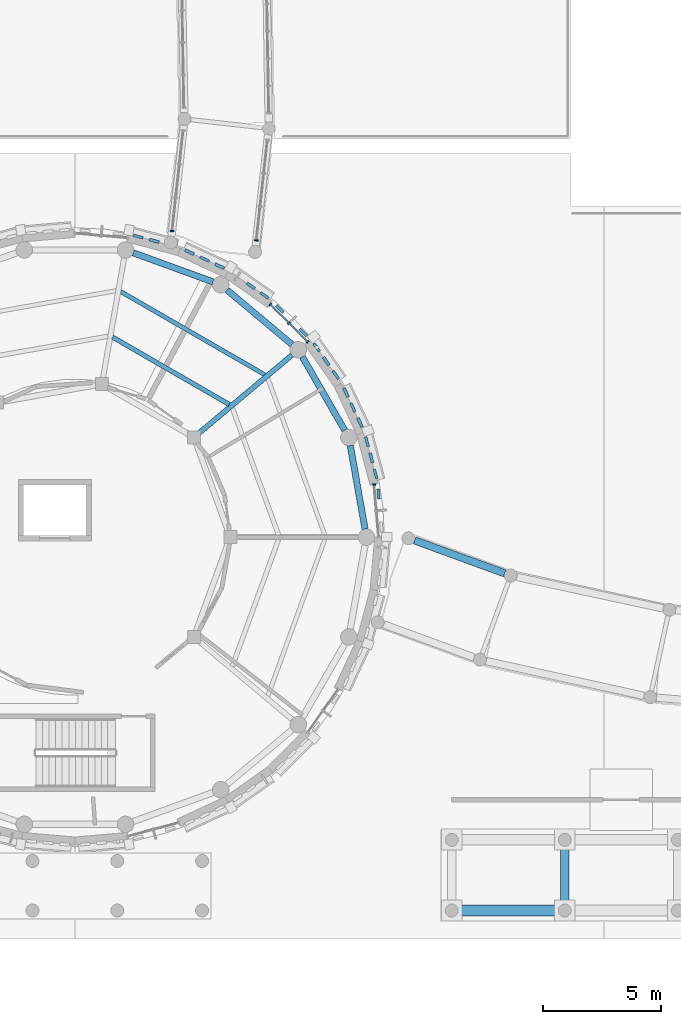
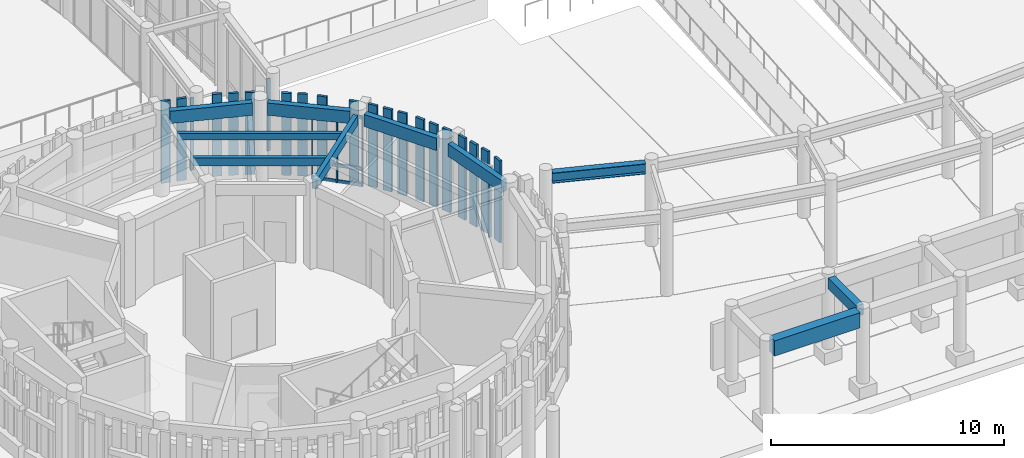
# One storey, part 8 of 94: 28 members, 10 beams, 4 elements without a shape of their own.
"""IFC4 building model written with IfcOpenShell, lengths in metres."""

from ifc_helpers import new_model, si_unit, direction, frame, origin, origin_2d, place, context, subcontext, project, spatial, rectangle, i_section, extrude, material, layer, layer_set, material_profile, profile_set, type_object, element, aggregate, save


model = new_model("IFC4")

# Units and contexts
model_context = context("Model", 3, precision=1e-05, world=origin(), true_north=direction((0.0, 1.0)))
body_context = subcontext(model_context, "Body", "Model", "MODEL_VIEW")
ifc_project = project(units=[si_unit("LENGTHUNIT", "METRE"), si_unit("AREAUNIT", "SQUARE_METRE"), si_unit("VOLUMEUNIT", "CUBIC_METRE"), si_unit("PLANEANGLEUNIT", "RADIAN"), si_unit("MASSUNIT", "GRAM", prefix="KILO")], contexts=[model_context])

# Site, building, storey
site_placement = place(None, origin())
site = spatial("IfcSite", under=ifc_project, at=site_placement, CompositionType="ELEMENT")
building_placement = place(site_placement, origin())
building = spatial("IfcBuilding", under=site, at=building_placement, Name="Aldenvaro Health Centre", CompositionType="ELEMENT")
storey_placement = place(building_placement, origin())
storey = spatial("IfcBuildingStorey", under=building, at=storey_placement, Name="L00", CompositionType="ELEMENT", Elevation=0.0)

# Beams
ifc_material_1 = material(Name="Glulam GL28h", Category="wood")
ifc_material_profile_1 = material_profile(ifc_material_1, rectangle(XDim=0.175048828125, YDim=0.35009765625, at=origin_2d()), Name="GL 175x350", Category="wood")
ifc_profile_set_1 = profile_set([ifc_material_profile_1], Name="Glulam GL28h")
beam_type_1 = type_object("IfcBeamType", Name="BM-GL-350", PredefinedType="JOIST", material=ifc_profile_set_1)
beam_1_placement = place(storey_placement, frame((26.56298828125, 25.39697265625, 4.1298828125), z_axis=(-0.866030278967, 0.499991555841, 0.0), x_axis=(-0.499991555841, -0.866030278967, 0.0)))
element("IfcBeam", 1, at=beam_1_placement, inside=storey, type_object=beam_type_1, Name="D5 L00 secondary joist 02.2", PredefinedType="JOIST", context=body_context, shape_type="SweptSolid", body=[
    extrude(rectangle(XDim=0.175048828125, YDim=0.35009765625, at=origin_2d()), origin(), (0.0, 0.0, 1.0), 7.06787109375),
])
ifc_material_profile_2 = material_profile(ifc_material_1, rectangle(XDim=0.18994140625, YDim=0.41796875, at=origin_2d()), Name="GL 190x418", Category="wood")
ifc_profile_set_2 = profile_set([ifc_material_profile_2], Name="Glulam GL28h")
beam_type_2 = type_object("IfcBeamType", Name="BM-GL-418", PredefinedType="JOIST", material=ifc_profile_set_2)
beam_2_placement = place(storey_placement, frame((25.056884765625, 24.134033203125, 4.095947265625), z_axis=(-0.866037099742, 0.499979741459, 0.0), x_axis=(-0.499979741459, -0.866037099742, 0.0)))
element("IfcBeam", 2, at=beam_2_placement, inside=storey, type_object=beam_type_2, Name="D5 L00 secondary joist 02.1", PredefinedType="JOIST", context=body_context, shape_type="SweptSolid", body=[
    extrude(rectangle(XDim=0.18994140625, YDim=0.41796875, at=origin_2d()), origin(), (0.0, 0.0, 1.0), 5.722412109375),
])
ifc_material_profile_3 = material_profile(ifc_material_1, rectangle(XDim=0.215087890625, YDim=0.493896484375, at=origin_2d()), Name="GL 215x494", Category="wood")
ifc_profile_set_3 = profile_set([ifc_material_profile_3], Name="Glulam GL28h")
beam_type_3 = type_object("IfcBeamType", Name="BM-GL-494", PredefinedType="BEAM", material=ifc_profile_set_3)
beam_3_placement = place(storey_placement, frame((23.76708984375, 22.9189453125, 4.05810546875), z_axis=(0.766007983384, 0.642831058204, 0.0), x_axis=(-0.642831058204, 0.766007983384, 0.0)))
element("IfcBeam", 3, at=beam_3_placement, inside=storey, type_object=beam_type_3, Name="D5 L00 radial beam 02", PredefinedType="BEAM", context=body_context, shape_type="SweptSolid", body=[
    extrude(rectangle(XDim=0.215087890625, YDim=0.493896484375, at=origin_2d()), origin(), (0.0, 0.0, 1.0), 5.1552734375),
])
ifc_material_profile_4 = material_profile(ifc_material_1, rectangle(XDim=0.264892578125, YDim=0.64599609375, at=origin_2d()), Name="GL 265x646", Category="wood")
ifc_profile_set_4 = profile_set([ifc_material_profile_4], Name="Glulam GL28h")
beam_type_4 = type_object("IfcBeamType", Name="BM-GL-646", PredefinedType="SPANDREL", material=ifc_profile_set_4)
beam_4_placement = place(storey_placement, frame((30.819091796875, 18.844970703125, 3.98193359375), z_axis=(-0.17367696688, 0.984802676263, 0.0), x_axis=(-0.984802676263, -0.17367696688, 0.0)))
element("IfcBeam", 4, at=beam_4_placement, inside=storey, type_object=beam_type_4, Name="D5 L00 perimeter spandrel 01", PredefinedType="SPANDREL", context=body_context, shape_type="SweptSolid", body=[
    extrude(rectangle(XDim=0.264892578125, YDim=0.64599609375, at=origin_2d()), origin(), (0.0, 0.0, 1.0), 3.5986328125),
])
beam_5_placement = place(storey_placement, frame((29.9580078125, 23.037109375, 3.98193359375), z_axis=(-0.499779208992, 0.866152840011, 0.0), x_axis=(-0.866152840011, -0.499779208992, 0.0)))
element("IfcBeam", 5, at=beam_5_placement, inside=storey, type_object=beam_type_4, Name="D5 L00 perimeter spandrel 02", PredefinedType="SPANDREL", context=body_context, shape_type="SweptSolid", body=[
    extrude(rectangle(XDim=0.264892578125, YDim=0.64599609375, at=origin_2d()), origin(), (0.0, 0.0, 1.0), 3.599853515625),
])
beam_6_placement = place(storey_placement, frame((27.716064453125, 26.68310546875, 3.98193359375), z_axis=(-0.766221705246, 0.642576297734, 0.0), x_axis=(-0.642576297734, -0.766221705246, 0.0)))
element("IfcBeam", 6, at=beam_6_placement, inside=storey, type_object=beam_type_4, Name="D5 L00 perimeter spandrel 03", PredefinedType="SPANDREL", context=body_context, shape_type="SweptSolid", body=[
    extrude(rectangle(XDim=0.264892578125, YDim=0.64599609375, at=origin_2d()), origin(), (0.0, 0.0, 1.0), 3.599609375),
])
beam_7_placement = place(storey_placement, frame((24.361083984375, 29.341064453125, 3.98193359375), z_axis=(-0.939694357354, 0.342015372106, 0.0), x_axis=(-0.342015372106, -0.939694357354, 0.0)))
element("IfcBeam", 7, at=beam_7_placement, inside=storey, type_object=beam_type_4, Name="D5 L00 perimeter spandrel 04", PredefinedType="SPANDREL", context=body_context, shape_type="SweptSolid", body=[
    extrude(rectangle(XDim=0.264892578125, YDim=0.64599609375, at=origin_2d()), origin(), (0.0, 0.0, 1.0), 3.59912109375),
])
ifc_material_2 = material(Name="Concrete f'c 40 MPa", Category="concrete")
ifc_material_profile_5 = material_profile(ifc_material_2, rectangle(XDim=0.35009765625, YDim=0.56005859375, at=origin_2d()), Name="RC 350x560", Category="concrete")
ifc_profile_set_5 = profile_set([ifc_material_profile_5], Name="Concrete f'c 40 MPa")
beam_type_5 = type_object("IfcBeamType", Name="BM-RC-560E", PredefinedType="JOIST", material=ifc_profile_set_5)
beam_8_placement = place(storey_placement, frame((39.300048828125, 2.925048828125, 4.1201171875), z_axis=(0.0, 1.0, 0.0), x_axis=(-1.0, 0.0, 0.0)))
element("IfcBeam", 8, at=beam_8_placement, inside=storey, type_object=beam_type_5, Name="South Stoa W Transverse Beam L00-2", PredefinedType="JOIST", context=body_context, shape_type="SweptSolid", body=[
    extrude(rectangle(XDim=0.35009765625, YDim=0.56005859375, at=origin_2d()), origin(), (0.0, 0.0, 1.0), 2.449951171875),
])
ifc_material_profile_6 = material_profile(ifc_material_2, rectangle(XDim=0.449951171875, YDim=0.800048828125, at=origin_2d()), Name="RC 450x800", Category="concrete")
ifc_profile_set_6 = profile_set([ifc_material_profile_6], Name="Concrete f'c 40 MPa")
beam_type_6 = type_object("IfcBeamType", Name="BM-RC-800", PredefinedType="SPANDREL", material=ifc_profile_set_6)
beam_9_placement = place(storey_placement, frame((34.77490234375, 2.64990234375, 4.0), z_axis=(1.0, 0.0, 0.0), x_axis=(0.0, 1.0, 0.0)))
element("IfcBeam", 9, at=beam_9_placement, inside=storey, type_object=beam_type_6, Name="South Stoa W Classical Architrave L00-1.1", PredefinedType="SPANDREL", context=body_context, shape_type="SweptSolid", body=[
    extrude(rectangle(XDim=0.449951171875, YDim=0.800048828125, at=origin_2d()), origin(), (0.0, 0.0, 1.0), 4.25),
])
ifc_material_3 = material(Name="Steel ASTM A992 Grade 50", Category="steel")
ifc_material_profile_7 = material_profile(ifc_material_3, i_section(OverallWidth=0.31201171875, OverallDepth=0.54296875, WebThickness=0.0126953125, FlangeThickness=0.020263671875, at=origin_2d()), Name="W21X101", Category="steel")
ifc_profile_set_7 = profile_set([ifc_material_profile_7], Name="Steel ASTM A992 Grade 50")
beam_type_7 = type_object("IfcBeamType", Name="BM-ST-W21E", PredefinedType="BEAM", material=ifc_profile_set_7)
beam_10_placement = place(storey_placement, frame((32.923095703125, 18.363037109375, 4.029052734375), z_axis=(0.939158229155, -0.343484818603, 0.0), x_axis=(0.343484818603, 0.939158229155, 0.0)))
element("IfcBeam", 10, at=beam_10_placement, inside=storey, type_object=beam_type_7, Name="South West Curved Peristyle Walkway Arc 1 L00 girder L-1", PredefinedType="BEAM", context=body_context, shape_type="SweptSolid", body=[
    extrude(i_section(OverallWidth=0.31201171875, OverallDepth=0.54296875, WebThickness=0.0126953125, FlangeThickness=0.020263671875, at=origin_2d()), origin(), (0.0, 0.0, 1.0), 4.07275390625),
])

# Curtain wall, members
ifc_material_4 = material(Name="Anodised Aluminium 6063-T6", Category="aluminium")
ifc_layer_1 = layer(ifc_material_4, 0.195068359375, Name="Anodised Aluminium 6063-T6", Category="aluminium")
ifc_layer_set_1 = layer_set([ifc_layer_1], Name="Anodised Aluminium 6063-T6")
curtain_wall_type_1 = type_object("IfcCurtainWallType", Name="CW-CLN-02", PredefinedType="NOTDEFINED", material=ifc_layer_set_1)
curtain_wall_1_placement = place(storey_placement, origin())
curtain_wall_1 = element("IfcCurtainWall", 11, at=curtain_wall_1_placement, inside=storey, type_object=curtain_wall_type_1, Name="D5 L00 curtain wall bay 32", PredefinedType="NOTDEFINED")
ifc_material_profile_8 = material_profile(ifc_material_4, rectangle(XDim=0.06005859375, YDim=0.135009765625, at=origin_2d()), Name="ALU 60x135", Category="aluminium")
ifc_profile_set_8 = profile_set([ifc_material_profile_8], Name="Anodised Aluminium 6063-T6")
member_type_1 = type_object("IfcMemberType", Name="CWM-150", PredefinedType="MULLION", material=ifc_profile_set_8)
member_1_placement = place(storey_placement, frame((26.7919921875, 28.382080078125, 0.0), z_axis=(0.0, 0.0, 1.0), x_axis=(0.707106781187, -0.707106781187, 0.0)))
member_1 = element("IfcMember", 12, at=member_1_placement, type_object=member_type_1, Name="D5 L00 curtain wall bay 32 mullion 1", PredefinedType="MULLION", context=body_context, shape_type="SweptSolid", body=[
    extrude(rectangle(XDim=0.06005859375, YDim=0.135009765625, at=origin_2d()), origin(), (0.0, 0.0, 1.0), 3.658935546875),
])
member_2_placement = place(storey_placement, frame((27.5869140625, 27.5869140625, 0.0), z_axis=(0.0, 0.0, 1.0), x_axis=(0.707106781187, -0.707106781187, 0.0)))
member_2 = element("IfcMember", 13, at=member_2_placement, type_object=member_type_1, Name="D5 L00 curtain wall bay 32 mullion 2", PredefinedType="MULLION", context=body_context, shape_type="SweptSolid", body=[
    extrude(rectangle(XDim=0.06005859375, YDim=0.135009765625, at=origin_2d()), origin(), (0.0, 0.0, 1.0), 3.658935546875),
])
member_3_placement = place(storey_placement, frame((28.382080078125, 26.7919921875, 0.0), z_axis=(0.0, 0.0, 1.0), x_axis=(0.707106781187, -0.707106781187, 0.0)))
member_3 = element("IfcMember", 14, at=member_3_placement, type_object=member_type_1, Name="D5 L00 curtain wall bay 32 mullion 3", PredefinedType="MULLION", context=body_context, shape_type="SweptSolid", body=[
    extrude(rectangle(XDim=0.06005859375, YDim=0.135009765625, at=origin_2d()), origin(), (0.0, 0.0, 1.0), 3.658935546875),
])

# Curtain wall, member
curtain_wall_2_placement = place(storey_placement, origin())
curtain_wall_2 = element("IfcCurtainWall", 15, at=curtain_wall_2_placement, inside=storey, type_object=curtain_wall_type_1, Name="D5 L00 curtain wall bay 36", PredefinedType="NOTDEFINED")
member_4_placement = place(storey_placement, frame((31.2041015625, 20.739990234375, 0.0), z_axis=(0.0, 0.0, 1.0), x_axis=(0.087166950289, -0.996193717495, 0.0)))
member_4 = element("IfcMember", 16, at=member_4_placement, type_object=member_type_1, Name="D5 L00 curtain wall bay 36 mullion 1", PredefinedType="MULLION", context=body_context, shape_type="SweptSolid", body=[
    extrude(rectangle(XDim=0.06005859375, YDim=0.135009765625, at=origin_2d()), origin(), (0.0, 0.0, 1.0), 3.658935546875),
])
aggregate(curtain_wall_2, [member_4])

ifc_layer_2 = layer(ifc_material_4, 0.2099609375, Name="Anodised Aluminium 6063-T6", Category="aluminium")
ifc_layer_set_2 = layer_set([ifc_layer_2], Name="Anodised Aluminium 6063-T6")
curtain_wall_type_2 = type_object("IfcCurtainWallType", Name="CW-BRG-03", PredefinedType="NOTDEFINED", material=ifc_layer_set_2)
curtain_wall_3_placement = place(storey_placement, origin())
curtain_wall_3 = element("IfcCurtainWall", 17, at=curtain_wall_3_placement, inside=storey, type_object=curtain_wall_type_2, Name="West South Curved Garden Walkway Arc 1 L00 glazed link wall L-1.1", PredefinedType="NOTDEFINED")
ifc_material_profile_9 = material_profile(ifc_material_4, rectangle(XDim=0.06005859375, YDim=0.159912109375, at=origin_2d()), Name="ALU 60x160", Category="aluminium")
ifc_profile_set_9 = profile_set([ifc_material_profile_9], Name="Anodised Aluminium 6063-T6")
member_type_2 = type_object("IfcMemberType", Name="CWM-180", PredefinedType="MULLION", material=ifc_profile_set_9)
member_5_placement = place(storey_placement, frame((22.6259765625, 31.5, 0.0), z_axis=(0.0, 0.0, 1.0), x_axis=(0.110252441518, 0.993903616625, 0.0)))
member_5 = element("IfcMember", 18, at=member_5_placement, type_object=member_type_2, Name="West South Curved Garden Walkway Arc 1 L00 glazed link wall L-1.1 mullion 1", PredefinedType="MULLION", context=body_context, shape_type="SweptSolid", body=[
    extrude(rectangle(XDim=0.06005859375, YDim=0.159912109375, at=origin_2d()), origin(), (0.0, 0.0, 1.0), 3.804931640625),
])
aggregate(curtain_wall_3, [member_5])

curtain_wall_4_placement = place(storey_placement, origin())
curtain_wall_4 = element("IfcCurtainWall", 19, at=curtain_wall_4_placement, inside=storey, type_object=curtain_wall_type_2, Name="West South Curved Garden Walkway Arc 1 L00 glazed link wall R-1.1", PredefinedType="NOTDEFINED")
member_6_placement = place(storey_placement, frame((26.2041015625, 31.10302734375, 0.0), z_axis=(0.0, 0.0, 1.0), x_axis=(0.110277989687, 0.993900782267, 0.0)))
member_6 = element("IfcMember", 20, at=member_6_placement, type_object=member_type_2, Name="West South Curved Garden Walkway Arc 1 L00 glazed link wall R-1.1 mullion 1", PredefinedType="MULLION", context=body_context, shape_type="SweptSolid", body=[
    extrude(rectangle(XDim=0.06005859375, YDim=0.159912109375, at=origin_2d()), origin(), (0.0, 0.0, 1.0), 3.804931640625),
])
aggregate(curtain_wall_4, [member_6])

# Member
ifc_material_profile_10 = material_profile(ifc_material_4, rectangle(XDim=0.06494140625, YDim=0.179931640625, at=origin_2d()), Name="ALU 65x180", Category="aluminium")
ifc_profile_set_10 = profile_set([ifc_material_profile_10], Name="Anodised Aluminium 6063-T6")
member_type_3 = type_object("IfcMemberType", Name="CWT-150", PredefinedType="USERDEFINED", material=ifc_profile_set_10)
member_7_placement = place(storey_placement, frame((26.7919921875, 28.382080078125, 0.06005859375), z_axis=(0.707106781187, -0.707106781187, 0.0), x_axis=(0.707106781187, 0.707106781187, 0.0)))
member_7 = element("IfcMember", 21, at=member_7_placement, type_object=member_type_3, Name="D5 L00 curtain wall bay 32 transom 1", ObjectType="TRANSOM", PredefinedType="USERDEFINED", context=body_context, shape_type="SweptSolid", body=[
    extrude(rectangle(XDim=0.06494140625, YDim=0.179931640625, at=origin_2d()), origin(), (0.0, 0.0, 1.0), 2.248779296875),
])

member_8_placement = place(storey_placement, frame((26.7919921875, 28.382080078125, 0.89990234375), z_axis=(0.707106781187, -0.707106781187, 0.0), x_axis=(0.707106781187, 0.707106781187, 0.0)))
member_8 = element("IfcMember", 22, at=member_8_placement, type_object=member_type_3, Name="D5 L00 curtain wall bay 32 transom 2", ObjectType="TRANSOM", PredefinedType="USERDEFINED", context=body_context, shape_type="SweptSolid", body=[
    extrude(rectangle(XDim=0.06494140625, YDim=0.179931640625, at=origin_2d()), origin(), (0.0, 0.0, 1.0), 2.248779296875),
])

member_9_placement = place(storey_placement, frame((26.7919921875, 28.382080078125, 3.59912109375), z_axis=(0.707106781187, -0.707106781187, 0.0), x_axis=(0.707106781187, 0.707106781187, 0.0)))
member_9 = element("IfcMember", 23, at=member_9_placement, type_object=member_type_3, Name="D5 L00 curtain wall bay 32 transom 3", ObjectType="TRANSOM", PredefinedType="USERDEFINED", context=body_context, shape_type="SweptSolid", body=[
    extrude(rectangle(XDim=0.06494140625, YDim=0.179931640625, at=origin_2d()), origin(), (0.0, 0.0, 1.0), 2.248779296875),
])

aggregate(curtain_wall_1, [member_1, member_2, member_3, member_7, member_8, member_9])

# Members
ifc_material_profile_11 = material_profile(ifc_material_1, rectangle(XDim=0.114990234375, YDim=0.419921875, at=origin_2d()), Name="GL 115x420", Category="wood")
ifc_profile_set_11 = profile_set([ifc_material_profile_11], Name="Glulam GL28h")
member_type_4 = type_object("IfcMemberType", Name="MEM-SLT-420A", PredefinedType="POST", material=ifc_profile_set_11)
for number, where, z_axis, x_axis, name in (
    (24, (21.19091796875, 31.263916015625, 0.0), (0.0, 0.0, 1.0), (0.258825000966, 0.9659242304, 0.0), "D5 L00 vertical timber slat 29.1"),
    (25, (24.0048828125, 30.305908203125, 0.0), (0.0, 0.0, 1.0), (0.422495879545, 0.906364844733, 0.0), "D5 L00 vertical timber slat 30.2"),
    (26, (26.548095703125, 28.76611328125, 0.0), (0.0, 0.0, 1.0), (0.573641397746, 0.819106553991, 0.0), "D5 L00 vertical timber slat 31.3"),
    (27, (27.195068359375, 28.19091796875, 0.0), (0.0, 0.0, 1.0), (0.707106781187, 0.707106781187, 0.0), "D5 L00 curtain mullion timber slat 32"),
    (28, (28.19091796875, 27.195068359375, 0.0), (0.0, 0.0, 1.0), (0.707106781187, 0.707106781187, 0.0), "D5 L00 curtain mullion timber slat 32"),
    (29, (28.76611328125, 26.548095703125, 0.0), (0.0, 0.0, 1.0), (0.819106553991, 0.573641397746, 0.0), "D5 L00 vertical timber slat 33.1"),
    (30, (29.573974609375, 25.39404296875, 0.0), (0.0, 0.0, 1.0), (0.819106553991, 0.573641397746, 0.0), "D5 L00 vertical timber slat 33.3"),
    (31, (30.305908203125, 24.0048828125, 0.0), (0.0, 0.0, 1.0), (0.906364844733, 0.422495879545, 0.0), "D5 L00 vertical timber slat 34.2"),
    (32, (30.89990234375, 22.552001953125, 0.0), (0.0, 0.0, 1.0), (0.9659242304, 0.258825000966, 0.0), "D5 L00 vertical timber slat 35.1"),
    (33, (31.263916015625, 21.19091796875, 0.0), (0.0, 0.0, 1.0), (0.9659242304, 0.258825000966, 0.0), "D5 L00 vertical timber slat 35.3"),
    (34, (31.389892578125, 20.3349609375, 0.0), (0.0, 0.0, 1.0), (0.996193717495, 0.087166950289, 0.0), "D5 L00 curtain mullion timber slat 36"),
):
    element("IfcMember", number, at=place(storey_placement, frame(where, z_axis=z_axis, x_axis=x_axis)), inside=storey, type_object=member_type_4, Name=name, PredefinedType="POST", context=body_context, shape_type="SweptSolid", body=[
        extrude(rectangle(XDim=0.114990234375, YDim=0.419921875, at=origin_2d()), origin(), (0.0, 0.0, 1.0), 4.304931640625),
    ])
ifc_material_profile_12 = material_profile(ifc_material_1, rectangle(XDim=0.1298828125, YDim=0.419921875, at=origin_2d()), Name="GL 130x420", Category="wood")
ifc_profile_set_12 = profile_set([ifc_material_profile_12], Name="Glulam GL28h")
member_type_5 = type_object("IfcMemberType", Name="MEM-SLT-420B", PredefinedType="POST", material=ifc_profile_set_12)
for number, where, z_axis, x_axis, name in (
    (35, (21.87109375, 31.08203125, 0.0), (0.0, 0.0, 1.0), (0.258825000966, 0.9659242304, 0.0), "D5 L00 vertical timber slat 29.2"),
    (36, (23.366943359375, 30.60302734375, 0.0), (0.0, 0.0, 1.0), (0.422495879545, 0.906364844733, 0.0), "D5 L00 vertical timber slat 30.1"),
    (37, (24.64306640625, 30.008056640625, 0.0), (0.0, 0.0, 1.0), (0.422495879545, 0.906364844733, 0.0), "D5 L00 vertical timber slat 30.3"),
    (38, (25.970947265625, 29.169921875, 0.0), (0.0, 0.0, 1.0), (0.573641397746, 0.819106553991, 0.0), "D5 L00 vertical timber slat 31.2"),
    (39, (29.169921875, 25.970947265625, 0.0), (0.0, 0.0, 1.0), (0.819106553991, 0.573641397746, 0.0), "D5 L00 vertical timber slat 33.2"),
    (40, (30.008056640625, 24.64306640625, 0.0), (0.0, 0.0, 1.0), (0.906364844733, 0.422495879545, 0.0), "D5 L00 vertical timber slat 34.1"),
    (41, (30.60302734375, 23.366943359375, 0.0), (0.0, 0.0, 1.0), (0.906364844733, 0.422495879545, 0.0), "D5 L00 vertical timber slat 34.3"),
    (42, (31.08203125, 21.87109375, 0.0), (0.0, 0.0, 1.0), (0.9659242304, 0.258825000966, 0.0), "D5 L00 vertical timber slat 35.2"),
):
    element("IfcMember", number, at=place(storey_placement, frame(where, z_axis=z_axis, x_axis=x_axis)), inside=storey, type_object=member_type_5, Name=name, PredefinedType="POST", context=body_context, shape_type="SweptSolid", body=[
        extrude(rectangle(XDim=0.1298828125, YDim=0.419921875, at=origin_2d()), origin(), (0.0, 0.0, 1.0), 4.304931640625),
    ])

save(model, "model.ifc")
